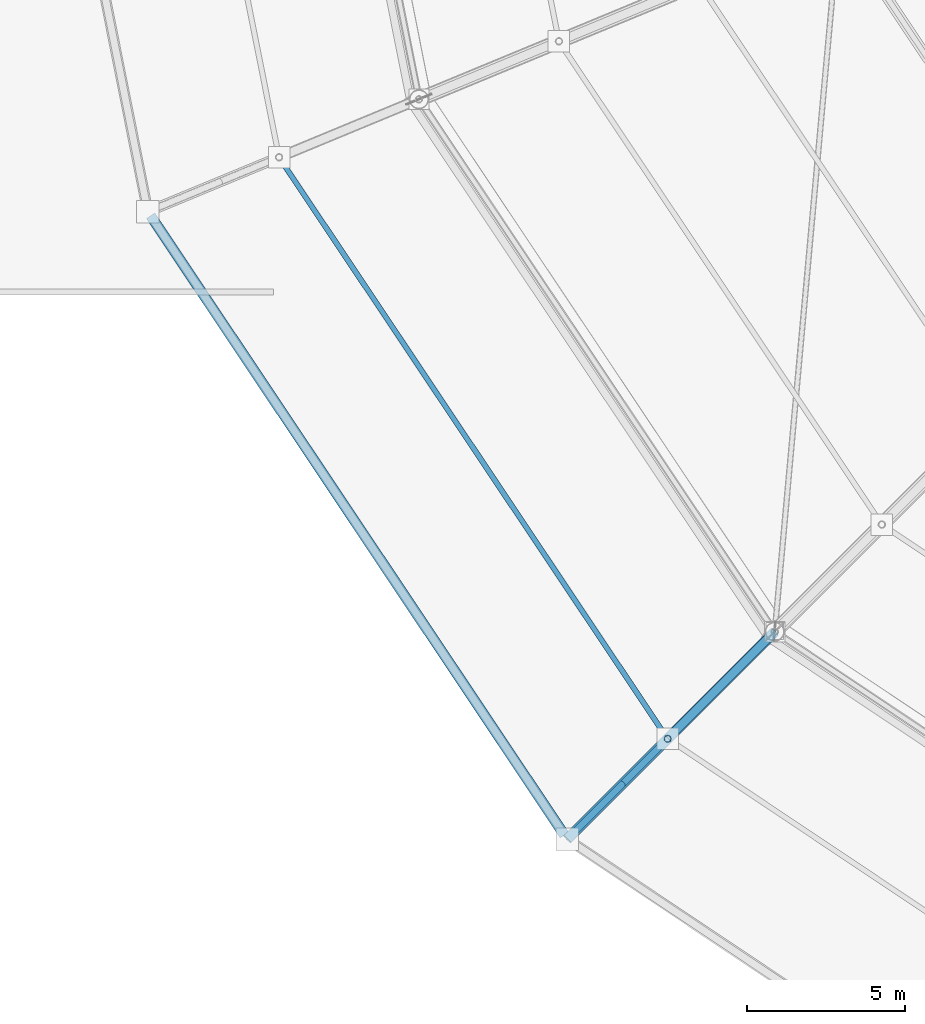
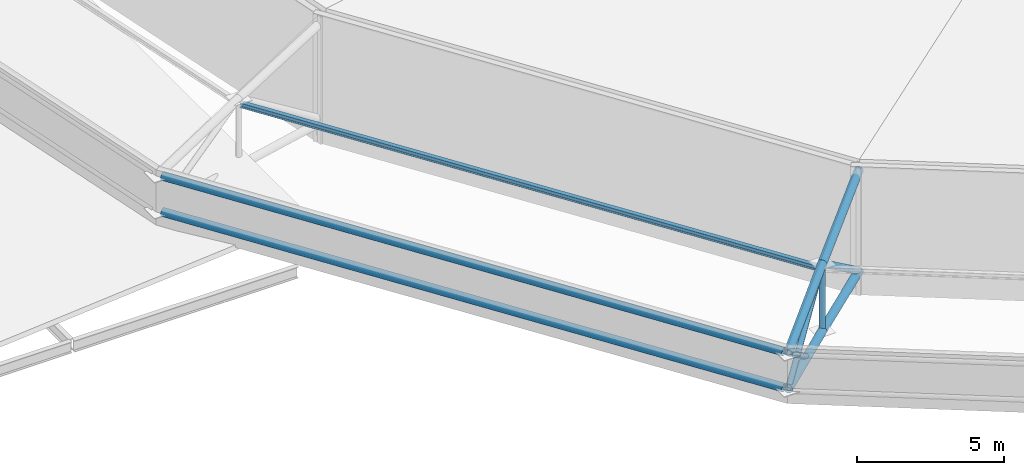
# One storey, part 14 of 146: 11 members.
"""IFC4 building model written with IfcOpenShell, lengths in metres."""

from ifc_helpers import new_model, si_unit, direction, frame, origin, origin_2d, place, context, subcontext, project, spatial, hollow_circle, i_section, extrude, material, material_profile, profile_set, type_object, element, save


model = new_model("IFC4")

# Units and contexts
model_context = context("Model", 3, precision=1e-05, world=origin(), true_north=direction((0.0, 1.0)))
body_context = subcontext(model_context, "Body", "Model", "MODEL_VIEW")
ifc_project = project(units=[si_unit("LENGTHUNIT", "METRE"), si_unit("AREAUNIT", "SQUARE_METRE"), si_unit("VOLUMEUNIT", "CUBIC_METRE"), si_unit("PLANEANGLEUNIT", "RADIAN"), si_unit("MASSUNIT", "GRAM", prefix="KILO")], contexts=[model_context])

# Site, building, storey
site_placement = place(None, origin())
site = spatial("IfcSite", under=ifc_project, at=site_placement, CompositionType="ELEMENT")
building_placement = place(site_placement, origin())
building = spatial("IfcBuilding", under=site, at=building_placement, Name="Candeia Ridge Stadium", CompositionType="ELEMENT")
storey_placement = place(building_placement, frame((0.0, 0.0, 31.800048828125)))
storey = spatial("IfcBuildingStorey", under=building, at=storey_placement, Name="RF", CompositionType="ELEMENT", Elevation=31.800048828125)

# Members
ifc_material = material(Name="Steel ASTM A572 Grade 50", Category="steel")
ifc_material_profile_1 = material_profile(ifc_material, i_section(OverallWidth=0.1650390625, OverallDepth=0.200927734375, WebThickness=0.006103515625, FlangeThickness=0.01025390625, FilletRadius=0.010009765625, at=origin_2d()), Name="W200x35.9", Category="steel")
ifc_profile_set_1 = profile_set([ifc_material_profile_1], Name="Steel ASTM A572 Grade 50")
member_type_1 = type_object("IfcMemberType", Name="Roof Purlin W200x35.9", PredefinedType="PURLIN", material=ifc_profile_set_1)
member_1_placement = place(storey_placement, frame((18.551513671875, 49.221923828125, 3.73828125), z_axis=(0.555570704918, -0.83146929699, 0.0), x_axis=(0.83146929699, 0.555570704918, 0.0)))
element("IfcMember", 1, at=member_1_placement, inside=storey, type_object=member_type_1, Name="Saddle roof steel purlin bay 16-5", PredefinedType="PURLIN", context=body_context, shape_type="SweptSolid", body=[
    extrude(i_section(OverallWidth=0.1650390625, OverallDepth=0.200927734375, WebThickness=0.006103515625, FlangeThickness=0.01025390625, FilletRadius=0.010009765625, at=origin_2d()), origin(), (0.0, 0.0, 1.0), 22.062255859375),
])
ifc_material_profile_2 = material_profile(ifc_material, hollow_circle(Radius=0.161865234375, WallThickness=0.012451171875, at=origin_2d()), Name="CHS323x12", Category="steel")
ifc_profile_set_2 = profile_set([ifc_material_profile_2], Name="Steel ASTM A572 Grade 50")
member_type_2 = type_object("IfcMemberType", Name="Roof Truss Eaves Chord CHS323x12", PredefinedType="CHORD", material=ifc_profile_set_2)
for number, where, z_axis, x_axis, name in (
    (2, (14.455078125, 47.408447265625, 3.281005859375), (0.555568940049, -0.831470476236, 0.0), (0.831470476236, 0.555568940049, 0.0), "Saddle roof outer eaves top ring chord bay 16"),
    (3, (14.455078125, 47.408447265625, 1.781005859375), (0.555568940049, -0.831470476236, 0.0), (0.831470476236, 0.555568940049, 0.0), "Saddle roof outer eaves bottom ring chord bay 16"),
):
    element("IfcMember", number, at=place(storey_placement, frame(where, z_axis=z_axis, x_axis=x_axis)), inside=storey, type_object=member_type_2, Name=name, PredefinedType="CHORD", context=body_context, shape_type="SweptSolid", body=[
        extrude(hollow_circle(Radius=0.161865234375, WallThickness=0.012451171875, at=origin_2d()), origin(), (0.0, 0.0, 1.0), 23.59814453125),
    ])
member_2_placement = place(storey_placement, frame((34.23046875, 34.23046875, 4.599853515625), z_axis=(-0.700873044687, -0.700873044687, -0.132491322215), x_axis=(0.707106781187, -0.707106781187, 0.0)))
element("IfcMember", 4, at=member_2_placement, inside=storey, type_object=member_type_2, Name="Roof cantilever truss RT-17 top chord 7", PredefinedType="CHORD", context=body_context, shape_type="SweptSolid", body=[
    extrude(hollow_circle(Radius=0.161865234375, WallThickness=0.012451171875, at=origin_2d()), origin(), (0.0, 0.0, 1.0), 4.842529296875),
])
member_3_placement = place(storey_placement, frame((34.23046875, 34.23046875, 0.39990234375), z_axis=(-0.698586254364, -0.698586254364, 0.154772382639), x_axis=(0.707106781187, -0.707106781187, 0.0)))
element("IfcMember", 5, at=member_3_placement, inside=storey, type_object=member_type_2, Name="Roof cantilever truss RT-17 bottom chord 7", PredefinedType="CHORD", context=body_context, shape_type="SweptSolid", body=[
    extrude(hollow_circle(Radius=0.161865234375, WallThickness=0.012451171875, at=origin_2d()), origin(), (0.0, 0.0, 1.0), 4.8583984375),
])
member_4_placement = place(storey_placement, frame((30.83642578125, 30.83642578125, 3.958251953125), z_axis=(-0.699233040755, -0.699233040755, -0.148816361443), x_axis=(0.707106781187, -0.707106781187, 0.0)))
element("IfcMember", 6, at=member_4_placement, inside=storey, type_object=member_type_2, Name="Roof cantilever truss RT-17 top chord 8", PredefinedType="CHORD", context=body_context, shape_type="SweptSolid", body=[
    extrude(hollow_circle(Radius=0.161865234375, WallThickness=0.012451171875, at=origin_2d()), origin(), (0.0, 0.0, 1.0), 4.55078125),
])
member_5_placement = place(storey_placement, frame((30.83642578125, 30.83642578125, 1.15185546875), z_axis=(-0.700296133436, -0.700296133436, 0.138458119983), x_axis=(0.707106781187, -0.707106781187, 0.0)))
element("IfcMember", 7, at=member_5_placement, inside=storey, type_object=member_type_2, Name="Roof cantilever truss RT-17 bottom chord 8", PredefinedType="CHORD", context=body_context, shape_type="SweptSolid", body=[
    extrude(hollow_circle(Radius=0.161865234375, WallThickness=0.012451171875, at=origin_2d()), origin(), (0.0, 0.0, 1.0), 4.5439453125),
])
ifc_material_profile_3 = material_profile(ifc_material, hollow_circle(Radius=0.136474609375, WallThickness=0.010009765625, at=origin_2d()), Name="CHS273x10", Category="steel")
ifc_profile_set_3 = profile_set([ifc_material_profile_3], Name="Steel ASTM A572 Grade 50")
member_type_3 = type_object("IfcMemberType", Name="Roof Truss Heavy Web Brace CHS273x10", PredefinedType="BRACE", material=ifc_profile_set_3)
member_6_placement = place(storey_placement, frame((34.23046875, 34.23046875, 0.39990234375), z_axis=(-0.56803841845, -0.56803841845, 0.595537329082), x_axis=(0.707106781187, -0.707106781187, 0.0)))
element("IfcMember", 8, at=member_6_placement, inside=storey, type_object=member_type_3, Name="Roof cantilever truss RT-17 diagonal web 7", PredefinedType="BRACE", context=body_context, shape_type="SweptSolid", body=[
    extrude(hollow_circle(Radius=0.136474609375, WallThickness=0.010009765625, at=origin_2d()), origin(), (0.0, 0.0, 1.0), 5.97509765625),
])
ifc_material_profile_4 = material_profile(ifc_material, hollow_circle(Radius=0.109619140625, WallThickness=0.010009765625, at=origin_2d()), Name="CHS219x10", Category="steel")
ifc_profile_set_4 = profile_set([ifc_material_profile_4], Name="Steel ASTM A572 Grade 50")
member_type_4 = type_object("IfcMemberType", Name="Roof Truss Inner Web Brace CHS219x10", PredefinedType="BRACE", material=ifc_profile_set_4)
member_7_placement = place(storey_placement, frame((30.83642578125, 30.83642578125, 3.958251953125), z_axis=(-0.636523949664, -0.636523949664, -0.435516386612), x_axis=(0.707106781187, -0.707106781187, 0.0)))
element("IfcMember", 9, at=member_7_placement, inside=storey, type_object=member_type_4, Name="Roof cantilever truss RT-17 diagonal web 8", PredefinedType="BRACE", context=body_context, shape_type="SweptSolid", body=[
    extrude(hollow_circle(Radius=0.109619140625, WallThickness=0.010009765625, at=origin_2d()), origin(), (0.0, 0.0, 1.0), 4.999267578125),
])
member_8_placement = place(storey_placement, frame((30.83642578125, 30.83642578125, 1.15185546875), z_axis=(0.0, 0.0, 1.0), x_axis=(1.0, 0.0, 0.0)))
element("IfcMember", 10, at=member_8_placement, inside=storey, type_object=member_type_4, Name="Roof cantilever truss RT-17 vertical post 7", PredefinedType="BRACE", context=body_context, shape_type="SweptSolid", body=[
    extrude(hollow_circle(Radius=0.109619140625, WallThickness=0.010009765625, at=origin_2d()), origin(), (0.0, 0.0, 1.0), 2.806396484375),
])
member_9_placement = place(storey_placement, frame((29.404296875, 29.404296875, 1.43505859375), z_axis=(-0.566805631246, -0.566805631246, 0.597881888651), x_axis=(0.707106781187, -0.707106781187, 0.0)))
element("IfcMember", 11, at=member_9_placement, inside=storey, type_object=member_type_4, Name="Roof cantilever truss RT-17 vertical post 8", PredefinedType="BRACE", context=body_context, shape_type="SweptSolid", body=[
    extrude(hollow_circle(Radius=0.109619140625, WallThickness=0.010009765625, at=origin_2d()), origin(), (0.0, 0.0, 1.0), 3.08740234375),
])

save(model, "model.ifc")
